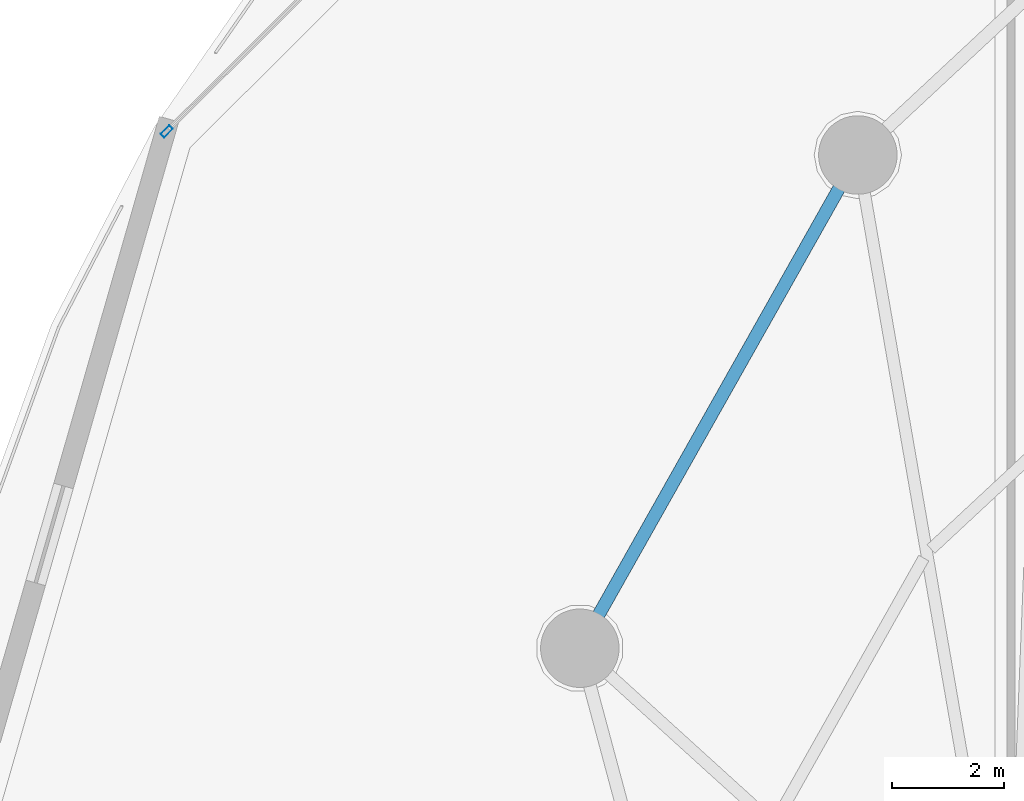
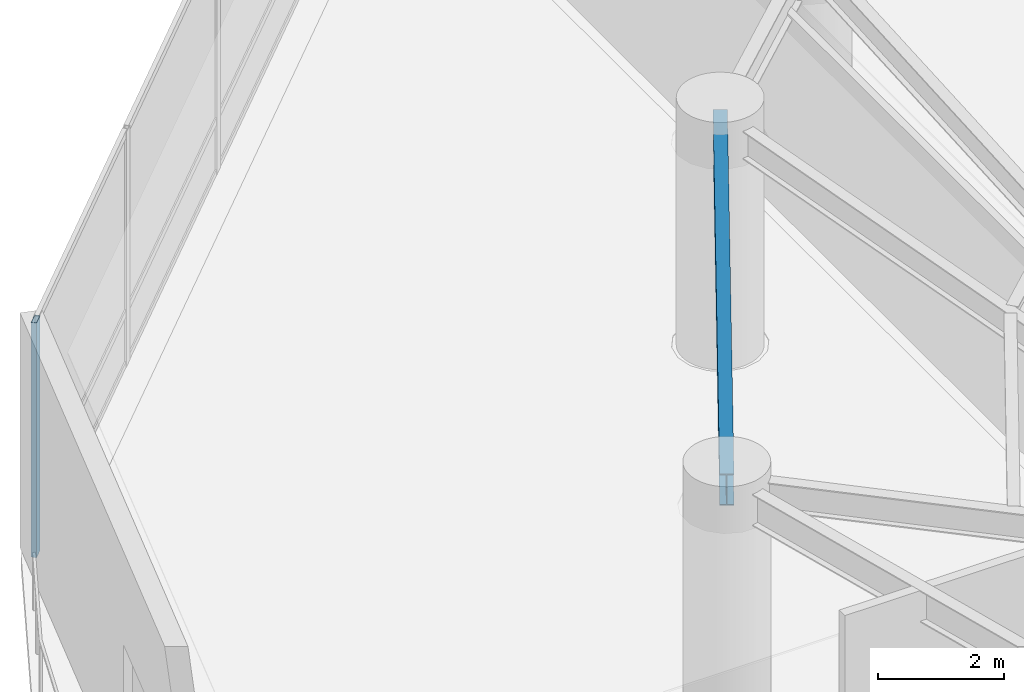
# One storey, part 6 of 26: 1 beam, 1 member, 1 element without a shape of its own.
"""IFC4 building model written with IfcOpenShell, lengths in metres."""

import ifcopenshell
import ifcopenshell.guid

model = None  # the IFC model being written
_history = None  # IfcOwnerHistory: only IFC2X3 demands one
_inside = {}  # id of a spatial element -> (the spatial element, [elements in it])
_under = {}  # id of a project, library or spatial element -> (it, [spatial elements below it])
_declared = {}  # id of a project -> (the project, [libraries it declares])
_typed = {}  # id of a type object -> (the type object, [elements of that type])
_made_of = {}  # id of a material, layer set ... -> (it, [elements and type objects made of it])


def new_model(schema):
    """Start an empty IFC model of exactly this schema.

    Asked for "IFC4X3", IfcOpenShell would pick the latest addendum, in which some entities
    have other attributes; the version numbers below select the first issue.
    IFC2X3 requires an IfcOwnerHistory on every rooted entity: one is made here for all.
    """
    global model, _history
    if schema == "IFC4X3":
        model = ifcopenshell.file(schema_version=(4, 3, 0, 0))
    else:
        model = ifcopenshell.file(schema=schema)
    _inside.clear()
    _under.clear()
    _declared.clear()
    _typed.clear()
    _made_of.clear()
    _history = None
    if model.schema == "IFC2X3":
        org = make("IfcOrganization", Name="unknown")
        user = make(
            "IfcPersonAndOrganization",
            ThePerson=make("IfcPerson", FamilyName="unknown"),
            TheOrganization=org,
        )
        app = make(
            "IfcApplication",
            ApplicationDeveloper=org,
            Version="unknown",
            ApplicationFullName="unknown",
            ApplicationIdentifier="unknown",
        )
        _history = make(
            "IfcOwnerHistory",
            OwningUser=user,
            OwningApplication=app,
            ChangeAction="ADDED",
            CreationDate=0,
        )
    return model


def make(cls, **values):
    """One entity of the class cls with the attributes given. An attribute that is None is left unset."""
    return model.create_entity(
        cls, **{name: value for name, value in values.items() if value is not None}
    )


def rooted(cls, **values):
    """An entity with a GlobalId (a new one), such as an element, a storey or a relation."""
    return make(cls, GlobalId=ifcopenshell.guid.new(), OwnerHistory=_history, **values)


def si_unit(unit_type, name, prefix=None):
    """IfcSIUnit, for example si_unit("LENGTHUNIT", "METRE", prefix="MILLI")."""
    return make("IfcSIUnit", UnitType=unit_type, Prefix=prefix, Name=name)


def assignment(units):
    """IfcUnitAssignment: the units of a project."""
    return None if units is None else make("IfcUnitAssignment", Units=units)


def point(xyz):
    """IfcCartesianPoint."""
    return None if xyz is None else make("IfcCartesianPoint", Coordinates=xyz)


def direction(xyz):
    """IfcDirection."""
    return None if xyz is None else make("IfcDirection", DirectionRatios=xyz)


def frame(location, z_axis=None, x_axis=None):
    """IfcAxis2Placement3D, a coordinate frame: its origin and axes. An axis left out is left unset."""
    return make(
        "IfcAxis2Placement3D",
        Location=point(location),
        Axis=direction(z_axis),
        RefDirection=direction(x_axis),
    )


def frame_2d(location, x_axis=None):
    """IfcAxis2Placement2D, a coordinate frame in the plane: its origin and x axis."""
    return make(
        "IfcAxis2Placement2D", Location=point(location), RefDirection=direction(x_axis)
    )


def origin():
    """The frame at (0, 0, 0) with its axes left unset."""
    return frame((0.0, 0.0, 0.0))


def origin_2d():
    """The frame at (0, 0) in the plane with its x axis left unset."""
    return frame_2d((0.0, 0.0))


def place(relative_to, where):
    """IfcLocalPlacement: puts the frame where relative to a parent placement (None: the world)."""
    return make(
        "IfcLocalPlacement", PlacementRelTo=relative_to, RelativePlacement=where
    )


def context(
    kind, dimensions, precision=None, world=None, true_north=None, identifier=None
):
    """IfcGeometricRepresentationContext, for example the 3D "Model" context."""
    return make(
        "IfcGeometricRepresentationContext",
        ContextIdentifier=identifier,
        ContextType=kind,
        CoordinateSpaceDimension=dimensions,
        Precision=precision,
        WorldCoordinateSystem=world,
        TrueNorth=true_north,
    )


def subcontext(parent, identifier, kind, view, scale=None):
    """IfcGeometricRepresentationSubContext, for example "Body" below "Model"."""
    return make(
        "IfcGeometricRepresentationSubContext",
        ContextIdentifier=identifier,
        ContextType=kind,
        ParentContext=parent,
        TargetScale=scale,
        TargetView=view,
    )


def project(units=None, contexts=None):
    """IfcProject with its units and contexts."""
    return rooted(
        "IfcProject",
        Name="project",
        RepresentationContexts=contexts,
        UnitsInContext=assignment(units),
    )


def spatial(cls, under=None, at=None, **own):
    """A site, building, storey or space (cls), placed at a placement, below another one or the project."""
    s = rooted(cls, ObjectPlacement=at, **own)
    if under is not None:
        _under.setdefault(under.id(), (under, []))[1].append(s)
    return s


def profile(cls, at=None, kind="AREA", **sizes):
    """A parametric profile (cls). Its sizes go by their IFC names, for example OverallWidth=200.0."""
    return make(cls, ProfileType=kind, Position=at, **sizes)


def hollow_rectangle(**sizes):
    """IfcRectangleHollowProfileDef."""
    return profile("IfcRectangleHollowProfileDef", **sizes)


def i_section(**sizes):
    """IfcIShapeProfileDef."""
    return profile("IfcIShapeProfileDef", **sizes)


def extrude(swept, where, along, depth):
    """IfcExtrudedAreaSolid: the profile swept, set in the frame where, extruded along a direction by depth."""
    return make(
        "IfcExtrudedAreaSolid",
        SweptArea=swept,
        Position=where,
        ExtrudedDirection=direction(along),
        Depth=depth,
    )


def shape(context_of_items, identifier, shape_type, items):
    """IfcShapeRepresentation: the items that make up one representation, for example the "Body"."""
    return make(
        "IfcShapeRepresentation",
        ContextOfItems=context_of_items,
        RepresentationIdentifier=identifier,
        RepresentationType=shape_type,
        Items=items,
    )


def material(Name=None, Category=None):
    """IfcMaterial."""
    return make("IfcMaterial", Name=Name, Category=Category)


def layer(
    of_material, thickness, ventilated=None, Name=None, Category=None, Priority=None
):
    """IfcMaterialLayer: one layer of a wall or slab, of a material (None: an air gap)."""
    return make(
        "IfcMaterialLayer",
        Material=of_material,
        LayerThickness=thickness,
        IsVentilated=ventilated,
        Name=Name,
        Category=Category,
        Priority=Priority,
    )


def layer_set(layers, Name=None):
    """IfcMaterialLayerSet."""
    return make("IfcMaterialLayerSet", MaterialLayers=layers, LayerSetName=Name)


def material_profile(
    of_material, cross_section, Name=None, Category=None, Priority=None
):
    """IfcMaterialProfile: a cross section and its material."""
    return make(
        "IfcMaterialProfile",
        Name=Name,
        Material=of_material,
        Profile=cross_section,
        Priority=Priority,
        Category=Category,
    )


def profile_set(profiles, Name=None, composite=None):
    """IfcMaterialProfileSet."""
    return make(
        "IfcMaterialProfileSet",
        Name=Name,
        MaterialProfiles=profiles,
        CompositeProfile=composite,
    )


def made_of(thing, what):
    """Note that an element or type object is made of a material, layer set ...; save() writes the relation."""
    if what is not None:
        _made_of.setdefault(what.id(), (what, []))[1].append(thing)
    return thing


def type_object(cls, material=None, **own):
    """A type object (cls), such as IfcWallType, which elements share."""
    return made_of(rooted(cls, **own), material)


def element(
    cls,
    number,
    at=None,
    inside=None,
    cuts=None,
    type_object=None,
    material=None,
    context=None,
    identifier="Body",
    shape_type=None,
    held_by="IfcProductDefinitionShape",
    body=None,
    shapes=None,
    **own,
):
    """One element of the class cls, such as IfcWall. Its Tag is "e" and its number.

    at: its placement. inside: the storey or other place that contains it. cuts: it is an
    opening in that element (IfcRelVoidsElement). A single representation is given by context,
    identifier, shape_type and body (its items); several are given by shapes. held_by: the class
    of the entity that holds the representations. save() writes the other relations.
    """
    e = rooted(cls, Tag="e%d" % number, ObjectPlacement=at, **own)
    if body is not None:
        shapes = [shape(context, identifier, shape_type, body)]
    if shapes is not None:
        e.Representation = make(held_by, Representations=shapes)
    if inside is not None:
        _inside.setdefault(inside.id(), (inside, []))[1].append(e)
    if cuts is not None:
        rooted(
            "IfcRelVoidsElement", RelatingBuildingElement=cuts, RelatedOpeningElement=e
        )
    if type_object is not None:
        _typed.setdefault(type_object.id(), (type_object, []))[1].append(e)
    return made_of(e, material)


def aggregate(whole, parts):
    """IfcRelAggregates: a whole, such as a stair, and the parts it consists of."""
    return rooted("IfcRelAggregates", RelatingObject=whole, RelatedObjects=parts)


def save(model, path):
    """Write the relations noted so far, then the file.

    IfcRelAggregates (storeys below a building ...), IfcRelContainedInSpatialStructure (elements
    in a storey), IfcRelDefinesByType, IfcRelAssociatesMaterial and IfcRelDeclares: one each for
    every whole, place, type object, material and project.
    """
    for whole, parts in _under.values():
        aggregate(whole, parts)
    for where, things in _inside.values():
        rooted(
            "IfcRelContainedInSpatialStructure",
            RelatedElements=things,
            RelatingStructure=where,
        )
    for kind, things in _typed.values():
        rooted("IfcRelDefinesByType", RelatedObjects=things, RelatingType=kind)
    for what, things in _made_of.values():
        rooted("IfcRelAssociatesMaterial", RelatedObjects=things, RelatingMaterial=what)
    for by, libraries in _declared.values():
        rooted("IfcRelDeclares", RelatingContext=by, RelatedDefinitions=libraries)
    model.write(path)


model = new_model("IFC4")

# Units and contexts
model_context = context("Model", 3, precision=1e-05, world=origin(), true_north=direction((0.0, 1.0)))
body_context = subcontext(model_context, "Body", "Model", "MODEL_VIEW")
ifc_project = project(units=[si_unit("LENGTHUNIT", "METRE"), si_unit("AREAUNIT", "SQUARE_METRE"), si_unit("VOLUMEUNIT", "CUBIC_METRE"), si_unit("PLANEANGLEUNIT", "RADIAN"), si_unit("MASSUNIT", "GRAM", prefix="KILO")], contexts=[model_context])

# Site, building, storey
site_placement = place(None, origin())
site = spatial("IfcSite", under=ifc_project, at=site_placement, CompositionType="ELEMENT")
building_placement = place(site_placement, origin())
building = spatial("IfcBuilding", under=site, at=building_placement, Name="Kazevale Care Tower and Concert Hall", CompositionType="ELEMENT")
storey_placement = place(building_placement, frame((0.0, 0.0, 19.199951171875)))
storey = spatial("IfcBuildingStorey", under=building, at=storey_placement, Name="L04", CompositionType="ELEMENT", Elevation=19.199951171875)

# Curtain wall, member
ifc_material_1 = material(Name="Aluminium 6063-T6 and Low-E Glass", Category="aluminium")
ifc_layer = layer(ifc_material_1, 0.179931640625)
ifc_layer_set = layer_set([ifc_layer], Name="Aluminium 6063-T6 and Low-E Glass")
curtain_wall_type = type_object("IfcCurtainWallType", Name="Podium Double-Skin Medical Curtain Wall CW-1", PredefinedType="NOTDEFINED", material=ifc_layer_set)
curtain_wall_placement = place(storey_placement, origin())
curtain_wall = element("IfcCurtainWall", 1, at=curtain_wall_placement, inside=storey, type_object=curtain_wall_type, Name="cw:L04:pod:06", PredefinedType="NOTDEFINED")
ifc_material_2 = material(Name="Aluminium 6063-T6", Category="aluminium")
ifc_material_profile_1 = material_profile(ifc_material_2, hollow_rectangle(XDim=0.090087890625, YDim=0.219970703125, WallThickness=0.0048828125, at=origin_2d()), Name="ALU90x220x5")
ifc_profile_set_1 = profile_set([ifc_material_profile_1], Name="Aluminium 6063-T6")
member_type = type_object("IfcMemberType", Name="CW-1 Mullion ALU90x220x5", PredefinedType="MULLION", material=ifc_profile_set_1)
member_placement = place(storey_placement, frame((6.93896484375, 52.601806640625, 0.0), z_axis=(0.0, 0.0, 1.0), x_axis=(0.705655814257, -0.708554776856, 0.0)))
member = element("IfcMember", 2, at=member_placement, type_object=member_type, Name="CW-1 mullion 4", PredefinedType="MULLION", context=body_context, shape_type="SweptSolid", body=[
    extrude(hollow_rectangle(XDim=0.090087890625, YDim=0.219970703125, WallThickness=0.0048828125, at=origin_2d()), origin(), (0.0, 0.0, 1.0), 4.56005859375),
])
aggregate(curtain_wall, [member])

# Beam
ifc_material_3 = material(Name="Steel ASTM A572 Gr 50", Category="steel")
ifc_material_profile_2 = material_profile(ifc_material_3, i_section(OverallWidth=0.22900390625, OverallDepth=0.612060546875, WebThickness=0.011962890625, FlangeThickness=0.01953125, at=origin_2d()), Name="W610x125")
ifc_profile_set_2 = profile_set([ifc_material_profile_2], Name="Steel ASTM A572 Gr 50")
beam_type = type_object("IfcBeamType", Name="Ring Spandrel Beam W610x125", PredefinedType="SPANDREL", material=ifc_profile_set_2)
beam_placement = place(storey_placement, frame((19.27001953125, 52.179931640625, 4.254150390625), z_axis=(-0.491008061092, -0.87115502865, 0.0), x_axis=(0.87115502865, -0.491008061092, 0.0)))
element("IfcBeam", 3, at=beam_placement, inside=storey, type_object=beam_type, Name="beam:L04:ring:08", PredefinedType="SPANDREL", context=body_context, shape_type="SweptSolid", body=[
    extrude(i_section(OverallWidth=0.22900390625, OverallDepth=0.612060546875, WebThickness=0.011962890625, FlangeThickness=0.01953125, at=origin_2d()), origin(), (0.0, 0.0, 1.0), 10.1015625),
])

save(model, "model.ifc")
